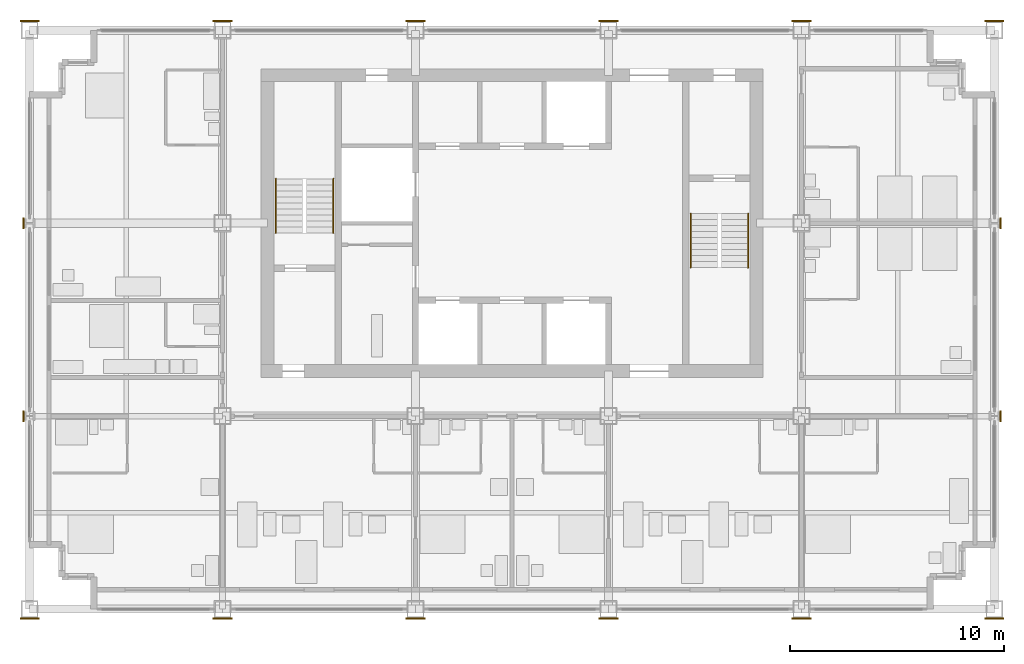
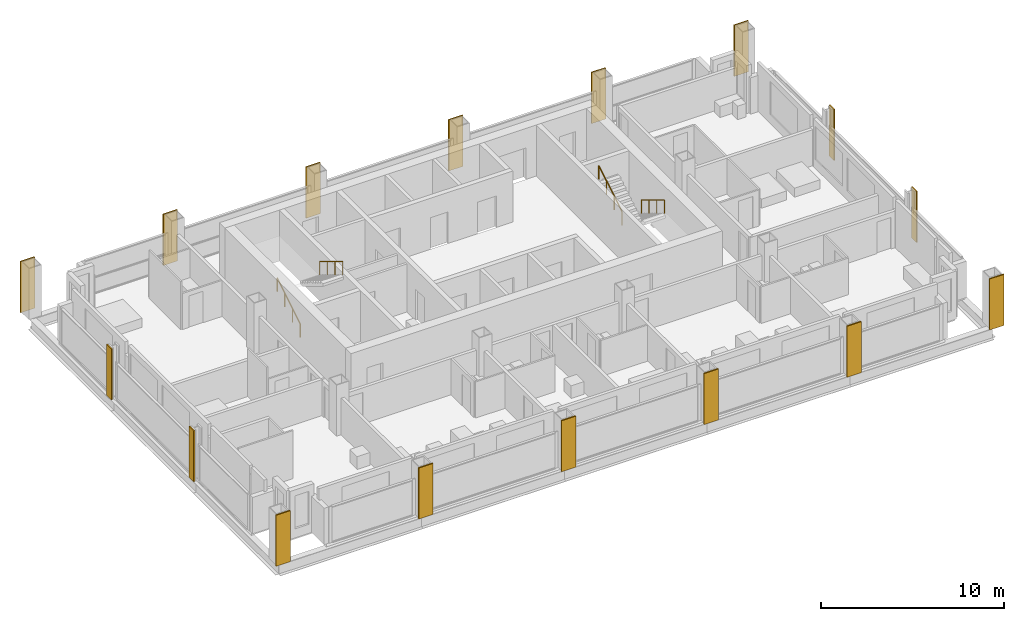
# One storey, part 11 of 13: 16 coverings, 4 railings.
"""IFC4 building model written with IfcOpenShell, lengths in metres."""

from ifc_helpers import new_model, si_unit, direction, frame, origin, origin_2d, place, context, subcontext, project, spatial, rectangle, circle, extrude, material, layer, layer_set, type_object, element, save


model = new_model("IFC4")

# Units and contexts
model_context = context("Model", 3, precision=1e-05, world=origin(), true_north=direction((0.0, 1.0)))
body_context = subcontext(model_context, "Body", "Model", "MODEL_VIEW")
ifc_project = project(units=[si_unit("LENGTHUNIT", "METRE"), si_unit("AREAUNIT", "SQUARE_METRE"), si_unit("VOLUMEUNIT", "CUBIC_METRE"), si_unit("PLANEANGLEUNIT", "RADIAN"), si_unit("MASSUNIT", "GRAM", prefix="KILO")], contexts=[model_context])

# Site, building, storey
site_placement = place(None, origin())
site = spatial("IfcSite", under=ifc_project, at=site_placement, CompositionType="ELEMENT")
building_placement = place(site_placement, origin())
building = spatial("IfcBuilding", under=site, at=building_placement, Name="Loomwork Tower", CompositionType="ELEMENT")
storey_placement = place(building_placement, frame((0.0, 0.0, 214.800048828125)))
storey = spatial("IfcBuildingStorey", under=building, at=storey_placement, Name="L59", CompositionType="ELEMENT", Elevation=214.800048828125)

# Railings
ifc_material_1 = material(Name="Stainless steel handrail", Category="steel")
railing_type = type_object("IfcRailingType", Name="Handrail 900", PredefinedType="HANDRAIL", material=ifc_material_1)
railing_1_placement = place(storey_placement, frame((11.485107421875, 17.550048828125, 0.169921875)))
element("IfcRailing", 1, at=railing_1_placement, inside=storey, type_object=railing_type, Name="Stair A handrail flight 1 L59", PredefinedType="HANDRAIL", context=body_context, shape_type="SweptSolid", body=[
    extrude(circle(Radius=0.02392578125, at=origin_2d()), frame((0.0, 0.0, 0.8759765625), z_axis=(0.0, 0.85478489116, 0.518982456201), x_axis=(-1.0, 0.0, 0.0)), (0.0, 0.0, 1.0), 2.9482421875),
    extrude(circle(Radius=0.02099609375, at=origin_2d()), origin(), (0.0, 0.0, 1.0), 0.851806640625),
    extrude(circle(Radius=0.02099609375, at=origin_2d()), frame((0.0, 0.840087890625, 0.510009765625)), (0.0, 0.0, 1.0), 0.851806640625),
    extrude(circle(Radius=0.02099609375, at=origin_2d()), frame((0.0, 1.679931640625, 1.02001953125)), (0.0, 0.0, 1.0), 0.851806640625),
    extrude(circle(Radius=0.02099609375, at=origin_2d()), frame((0.0, 2.52001953125, 1.530029296875)), (0.0, 0.0, 1.0), 0.851806640625),
])
for number, where, name in (
    (2, (14.1650390625, 20.070068359375, 1.869873046875), "Stair A handrail flight 2 L59"),
    (3, (33.514892578125, 18.449951171875, 0.169921875), "Stair B handrail flight 1 L59"),
):
    element("IfcRailing", number, at=place(storey_placement, frame(where)), inside=storey, type_object=railing_type, Name=name, PredefinedType="HANDRAIL", context=body_context, shape_type="SweptSolid", body=[
        extrude(circle(Radius=0.02392578125, at=origin_2d()), frame((0.0, 0.0, 0.8759765625), z_axis=(0.0, -0.85478489116, 0.518982456201), x_axis=(1.0, 0.0, 0.0)), (0.0, 0.0, 1.0), 2.9482421875),
        extrude(circle(Radius=0.02099609375, at=origin_2d()), origin(), (0.0, 0.0, 1.0), 0.851806640625),
        extrude(circle(Radius=0.02099609375, at=origin_2d()), frame((0.0, -0.840087890625, 0.510009765625)), (0.0, 0.0, 1.0), 0.851806640625),
        extrude(circle(Radius=0.02099609375, at=origin_2d()), frame((0.0, -1.679931640625, 1.02001953125)), (0.0, 0.0, 1.0), 0.851806640625),
        extrude(circle(Radius=0.02099609375, at=origin_2d()), frame((0.0, -2.52001953125, 1.530029296875)), (0.0, 0.0, 1.0), 0.851806640625),
    ])
railing_2_placement = place(storey_placement, frame((30.8349609375, 15.929931640625, 1.869873046875)))
element("IfcRailing", 4, at=railing_2_placement, inside=storey, type_object=railing_type, Name="Stair B handrail flight 2 L59", PredefinedType="HANDRAIL", context=body_context, shape_type="SweptSolid", body=[
    extrude(circle(Radius=0.02392578125, at=origin_2d()), frame((0.0, 0.0, 0.8759765625), z_axis=(0.0, 0.85478489116, 0.518982456201), x_axis=(-1.0, 0.0, 0.0)), (0.0, 0.0, 1.0), 2.9482421875),
    extrude(circle(Radius=0.02099609375, at=origin_2d()), origin(), (0.0, 0.0, 1.0), 0.851806640625),
    extrude(circle(Radius=0.02099609375, at=origin_2d()), frame((0.0, 0.840087890625, 0.510009765625)), (0.0, 0.0, 1.0), 0.851806640625),
    extrude(circle(Radius=0.02099609375, at=origin_2d()), frame((0.0, 1.679931640625, 1.02001953125)), (0.0, 0.0, 1.0), 0.851806640625),
    extrude(circle(Radius=0.02099609375, at=origin_2d()), frame((0.0, 2.52001953125, 1.530029296875)), (0.0, 0.0, 1.0), 0.851806640625),
])

# Coverings
ifc_material_2 = material(Name="Limestone", Category="masonry")
ifc_layer = layer(ifc_material_2, 0.080078125)
ifc_layer_set = layer_set([ifc_layer], Name="Limestone pier facing 80")
covering_type = type_object("IfcCoveringType", Name="Limestone pier facing 80", PredefinedType="CLADDING", material=ifc_layer_set)
covering_1_placement = place(storey_placement, frame((0.0, -0.43994140625, 0.0), z_axis=(0.0, 0.0, 1.0), x_axis=(1.0, 0.0, 0.0)))
element("IfcCovering", 5, at=covering_1_placement, inside=storey, type_object=covering_type, Name="Pier facing D/2 L59", PredefinedType="CLADDING", context=body_context, shape_type="SweptSolid", body=[
    extrude(rectangle(XDim=0.89990234375, YDim=0.080078125, at=origin_2d()), origin(), (0.0, 0.0, 1.0), 3.39990234375),
])
for number, where, z_axis, x_axis, name in (
    (6, (-0.28125, 9.0, 0.0), (0.0, 0.0, 1.0), (1.0, 0.0, 0.0), "Pier facing E/2 L59"),
    (7, (-0.28125, 18.0, 0.0), (0.0, 0.0, 1.0), (1.0, 0.0, 0.0), "Pier facing F/2 L59"),
):
    element("IfcCovering", number, at=place(storey_placement, frame(where, z_axis=z_axis, x_axis=x_axis)), inside=storey, type_object=covering_type, Name=name, PredefinedType="CLADDING", context=body_context, shape_type="SweptSolid", body=[
        extrude(rectangle(XDim=0.080078125, YDim=0.526611328125, at=origin_2d()), origin(), (0.0, 0.0, 1.0), 3.39990234375),
    ])
for number, where, z_axis, x_axis, name in (
    (8, (0.0, 27.43994140625, 0.0), (0.0, 0.0, 1.0), (1.0, 0.0, 0.0), "Pier facing G/2 L59"),
    (9, (9.0, -0.43994140625, 0.0), (0.0, 0.0, 1.0), (1.0, 0.0, 0.0), "Pier facing D/3 L59"),
    (10, (9.0, 27.43994140625, 0.0), (0.0, 0.0, 1.0), (1.0, 0.0, 0.0), "Pier facing G/3 L59"),
    (11, (18.0, -0.43994140625, 0.0), (0.0, 0.0, 1.0), (1.0, 0.0, 0.0), "Pier facing D/4 L59"),
    (12, (18.0, 27.43994140625, 0.0), (0.0, 0.0, 1.0), (1.0, 0.0, 0.0), "Pier facing G/4 L59"),
    (13, (27.0, -0.43994140625, 0.0), (0.0, 0.0, 1.0), (1.0, 0.0, 0.0), "Pier facing D/5 L59"),
    (14, (27.0, 27.43994140625, 0.0), (0.0, 0.0, 1.0), (1.0, 0.0, 0.0), "Pier facing G/5 L59"),
    (15, (36.0, -0.43994140625, 0.0), (0.0, 0.0, 1.0), (1.0, 0.0, 0.0), "Pier facing D/6 L59"),
    (16, (36.0, 27.43994140625, 0.0), (0.0, 0.0, 1.0), (1.0, 0.0, 0.0), "Pier facing G/6 L59"),
    (17, (45.0, -0.43994140625, 0.0), (0.0, 0.0, 1.0), (1.0, 0.0, 0.0), "Pier facing D/7 L59"),
):
    element("IfcCovering", number, at=place(storey_placement, frame(where, z_axis=z_axis, x_axis=x_axis)), inside=storey, type_object=covering_type, Name=name, PredefinedType="CLADDING", context=body_context, shape_type="SweptSolid", body=[
        extrude(rectangle(XDim=0.89990234375, YDim=0.080078125, at=origin_2d()), origin(), (0.0, 0.0, 1.0), 3.39990234375),
    ])
for number, where, z_axis, x_axis, name in (
    (18, (45.28125, 9.0, 0.0), (0.0, 0.0, 1.0), (1.0, 0.0, 0.0), "Pier facing E/7 L59"),
    (19, (45.28125, 18.0, 0.0), (0.0, 0.0, 1.0), (1.0, 0.0, 0.0), "Pier facing F/7 L59"),
):
    element("IfcCovering", number, at=place(storey_placement, frame(where, z_axis=z_axis, x_axis=x_axis)), inside=storey, type_object=covering_type, Name=name, PredefinedType="CLADDING", context=body_context, shape_type="SweptSolid", body=[
        extrude(rectangle(XDim=0.080078125, YDim=0.526611328125, at=origin_2d()), origin(), (0.0, 0.0, 1.0), 3.39990234375),
    ])
covering_2_placement = place(storey_placement, frame((45.0, 27.43994140625, 0.0), z_axis=(0.0, 0.0, 1.0), x_axis=(1.0, 0.0, 0.0)))
element("IfcCovering", 20, at=covering_2_placement, inside=storey, type_object=covering_type, Name="Pier facing G/7 L59", PredefinedType="CLADDING", context=body_context, shape_type="SweptSolid", body=[
    extrude(rectangle(XDim=0.89990234375, YDim=0.080078125, at=origin_2d()), origin(), (0.0, 0.0, 1.0), 3.39990234375),
])

save(model, "model.ifc")
